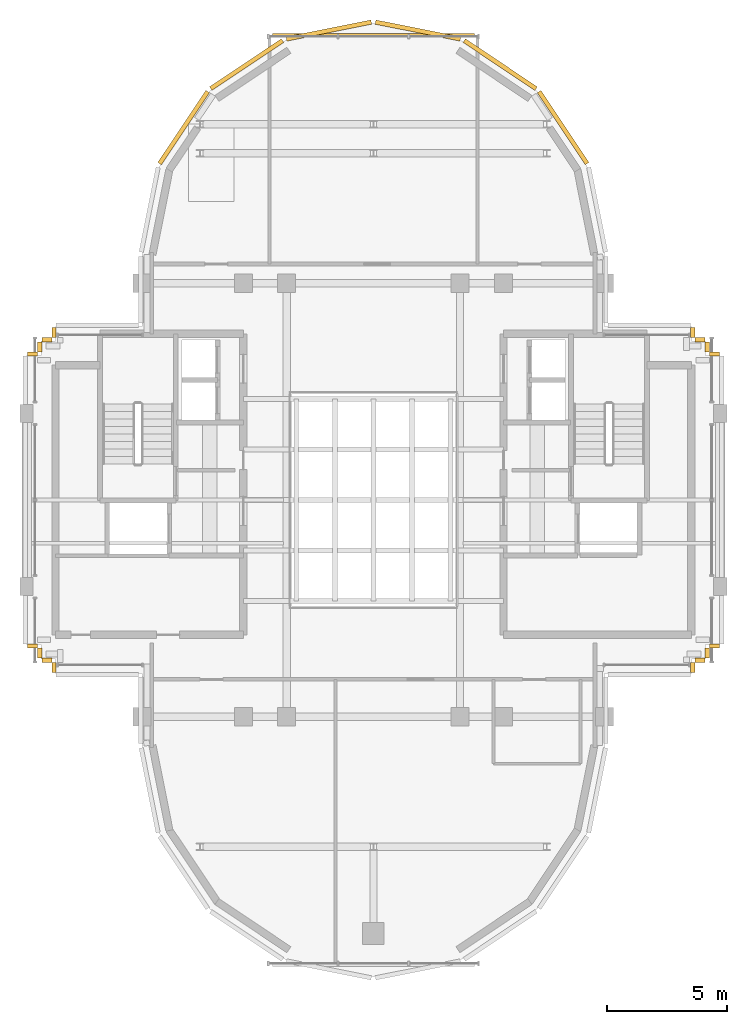
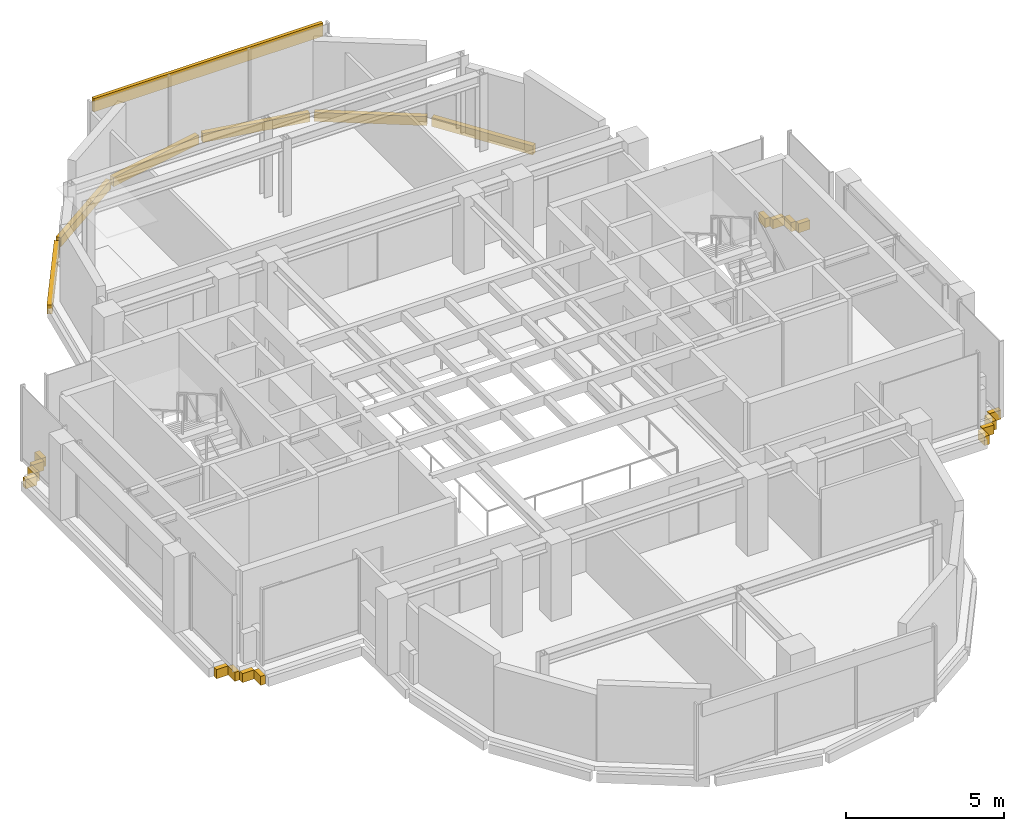
# One storey, part 11 of 11: 23 coverings.
"""IFC4 building model written with IfcOpenShell, lengths in metres."""

from ifc_helpers import new_model, si_unit, direction, frame, origin, origin_2d, place, context, subcontext, project, spatial, rectangle, extrude, source, transform, mapped, material, layer, layer_set, type_object, element, save


model = new_model("IFC4")

# Units and contexts
model_context = context("Model", 3, precision=1e-05, world=origin(), true_north=direction((0.0, 1.0)))
body_context = subcontext(model_context, "Body", "Model", "MODEL_VIEW")
ifc_project = project(units=[si_unit("LENGTHUNIT", "METRE"), si_unit("AREAUNIT", "SQUARE_METRE"), si_unit("VOLUMEUNIT", "CUBIC_METRE"), si_unit("PLANEANGLEUNIT", "RADIAN"), si_unit("MASSUNIT", "GRAM", prefix="KILO")], contexts=[model_context])

# Site, building, storey
site_placement = place(None, origin())
site = spatial("IfcSite", under=ifc_project, at=site_placement, CompositionType="ELEMENT")
building_placement = place(site_placement, origin())
building = spatial("IfcBuilding", under=site, at=building_placement, Name="Keilestroom Media Tower", CompositionType="ELEMENT")
storey_placement = place(building_placement, frame((0.0, 0.0, 268.39990234375)))
storey = spatial("IfcBuildingStorey", under=building, at=storey_placement, Name="L75", CompositionType="ELEMENT", Elevation=268.39990234375)

# Coverings
ifc_material = material(Name="Precast concrete C40/50", Category="concrete")
ifc_layer = layer(ifc_material, 0.1201171875)
ifc_layer_set = layer_set([ifc_layer], Name="Precast concrete C40/50")
covering_type = type_object("IfcCoveringType", Name="Exterior-Precast-Spandrel-Cladding-Panel-120", PredefinedType="CLADDING", material=ifc_layer_set)
shared_shape_1 = source(origin(), body_context, "Body", "SweptSolid", [
    extrude(rectangle(XDim=8.39990234375, YDim=0.1201171875, at=origin_2d()), origin(), (0.0, 0.0, 1.0), 0.52001953125),
])
covering_placement = place(storey_placement, frame((0.0, 19.320068359375, 2.4501953125), z_axis=(0.0, 0.0, 1.0), x_axis=(1.0, 0.0, 0.0)))
element("IfcCovering", 1, at=covering_placement, inside=storey, type_object=covering_type, Name="L75 Precast Spandrel Cladding N", PredefinedType="CLADDING", context=body_context, shape_type="MappedRepresentation", body=[
    mapped(shared_shape_1, transform((0.0, 0.0, 0.0), x_axis=(1.0, 0.0, 0.0), y_axis=(0.0, 1.0, 0.0), z_axis=(0.0, 0.0, 1.0), scale=1.0)),
])
shared_shape_2 = source(origin(), body_context, "Body", "SweptSolid", [
    extrude(rectangle(XDim=3.589599609375, YDim=0.179931640625, at=origin_2d()), origin(), (0.0, 0.0, 1.0), 0.35009765625),
])
for number, where, z_axis, x_axis, name in (
    (2, (-7.878662109375, 15.46435546875, -0.530029296875), (0.0, 0.0, 1.0), (0.555574586577, 0.831466703332, 0.0), "L75 Precast Slab-Edge Fascia Cornice 29"),
    (3, (-5.264404296875, 18.07861328125, -0.530029296875), (0.0, 0.0, 1.0), (0.831466703332, 0.555574586577, 0.0), "L75 Precast Slab-Edge Fascia Cornice 30"),
    (4, (-1.8486328125, 19.493408203125, -0.530029296875), (0.0, 0.0, 1.0), (0.980783577882, 0.195098880975, 0.0), "L75 Precast Slab-Edge Fascia Cornice 31"),
    (5, (1.8486328125, 19.493408203125, -0.530029296875), (0.0, 0.0, 1.0), (0.980783577882, -0.195098880975, 0.0), "L75 Precast Slab-Edge Fascia Cornice 32"),
    (6, (5.264404296875, 18.07861328125, -0.530029296875), (0.0, 0.0, 1.0), (0.831466703332, -0.555574586577, 0.0), "L75 Precast Slab-Edge Fascia Cornice 33"),
    (7, (7.878662109375, 15.46435546875, -0.530029296875), (0.0, 0.0, 1.0), (0.555574586577, -0.831466703332, 0.0), "L75 Precast Slab-Edge Fascia Cornice 34"),
):
    element("IfcCovering", number, at=place(storey_placement, frame(where, z_axis=z_axis, x_axis=x_axis)), inside=storey, type_object=covering_type, Name=name, PredefinedType="CLADDING", context=body_context, shape_type="MappedRepresentation", body=[
        mapped(shared_shape_2, transform((0.0, 0.0, 0.0), x_axis=(1.0, 0.0, 0.0), y_axis=(0.0, 1.0, 0.0), z_axis=(0.0, 0.0, 1.0), scale=1.0)),
    ])
shared_shape_3 = source(origin(), body_context, "Body", "SweptSolid", [
    extrude(rectangle(XDim=0.419921875, YDim=0.179931640625, at=origin_2d()), origin(), (0.0, 0.0, 1.0), 0.35009765625),
])
for number, where, z_axis, x_axis, name in (
    (8, (14.159912109375, -6.06005859375, -0.530029296875), (0.0, 0.0, 1.0), (-1.0, 0.0, 0.0), "L75 Precast Slab-Edge Fascia Cornice 01"),
    (9, (13.860107421875, -6.360107421875, -0.530029296875), (0.0, 0.0, 1.0), (0.0, -1.0, 0.0), "L75 Precast Slab-Edge Fascia Cornice 02"),
    (10, (13.56005859375, -6.659912109375, -0.530029296875), (0.0, 0.0, 1.0), (-1.0, 0.0, 0.0), "L75 Precast Slab-Edge Fascia Cornice 03"),
    (11, (13.260009765625, -6.9599609375, -0.530029296875), (0.0, 0.0, 1.0), (0.0, -1.0, 0.0), "L75 Precast Slab-Edge Fascia Cornice 04"),
    (12, (-13.260009765625, -6.9599609375, -0.530029296875), (0.0, 0.0, 1.0), (0.0, 1.0, 0.0), "L75 Precast Slab-Edge Fascia Cornice 17"),
    (13, (-13.56005859375, -6.659912109375, -0.530029296875), (0.0, 0.0, 1.0), (-1.0, 0.0, 0.0), "L75 Precast Slab-Edge Fascia Cornice 18"),
    (14, (-13.860107421875, -6.360107421875, -0.530029296875), (0.0, 0.0, 1.0), (0.0, 1.0, 0.0), "L75 Precast Slab-Edge Fascia Cornice 19"),
    (15, (-14.159912109375, -6.06005859375, -0.530029296875), (0.0, 0.0, 1.0), (-1.0, 0.0, 0.0), "L75 Precast Slab-Edge Fascia Cornice 20"),
    (16, (-14.159912109375, 6.06005859375, -0.530029296875), (0.0, 0.0, 1.0), (1.0, 0.0, 0.0), "L75 Precast Slab-Edge Fascia Cornice 22"),
    (17, (-13.860107421875, 6.360107421875, -0.530029296875), (0.0, 0.0, 1.0), (0.0, 1.0, 0.0), "L75 Precast Slab-Edge Fascia Cornice 23"),
    (18, (-13.56005859375, 6.659912109375, -0.530029296875), (0.0, 0.0, 1.0), (1.0, 0.0, 0.0), "L75 Precast Slab-Edge Fascia Cornice 24"),
    (19, (-13.260009765625, 6.9599609375, -0.530029296875), (0.0, 0.0, 1.0), (0.0, 1.0, 0.0), "L75 Precast Slab-Edge Fascia Cornice 25"),
    (20, (13.260009765625, 6.9599609375, -0.530029296875), (0.0, 0.0, 1.0), (0.0, -1.0, 0.0), "L75 Precast Slab-Edge Fascia Cornice 38"),
    (21, (13.56005859375, 6.659912109375, -0.530029296875), (0.0, 0.0, 1.0), (1.0, 0.0, 0.0), "L75 Precast Slab-Edge Fascia Cornice 39"),
    (22, (13.860107421875, 6.360107421875, -0.530029296875), (0.0, 0.0, 1.0), (0.0, -1.0, 0.0), "L75 Precast Slab-Edge Fascia Cornice 40"),
    (23, (14.159912109375, 6.06005859375, -0.530029296875), (0.0, 0.0, 1.0), (1.0, 0.0, 0.0), "L75 Precast Slab-Edge Fascia Cornice 41"),
):
    element("IfcCovering", number, at=place(storey_placement, frame(where, z_axis=z_axis, x_axis=x_axis)), inside=storey, type_object=covering_type, Name=name, PredefinedType="CLADDING", context=body_context, shape_type="MappedRepresentation", body=[
        mapped(shared_shape_3, transform((0.0, 0.0, 0.0), x_axis=(1.0, 0.0, 0.0), y_axis=(0.0, 1.0, 0.0), z_axis=(0.0, 0.0, 1.0), scale=1.0)),
    ])

save(model, "model.ifc")
